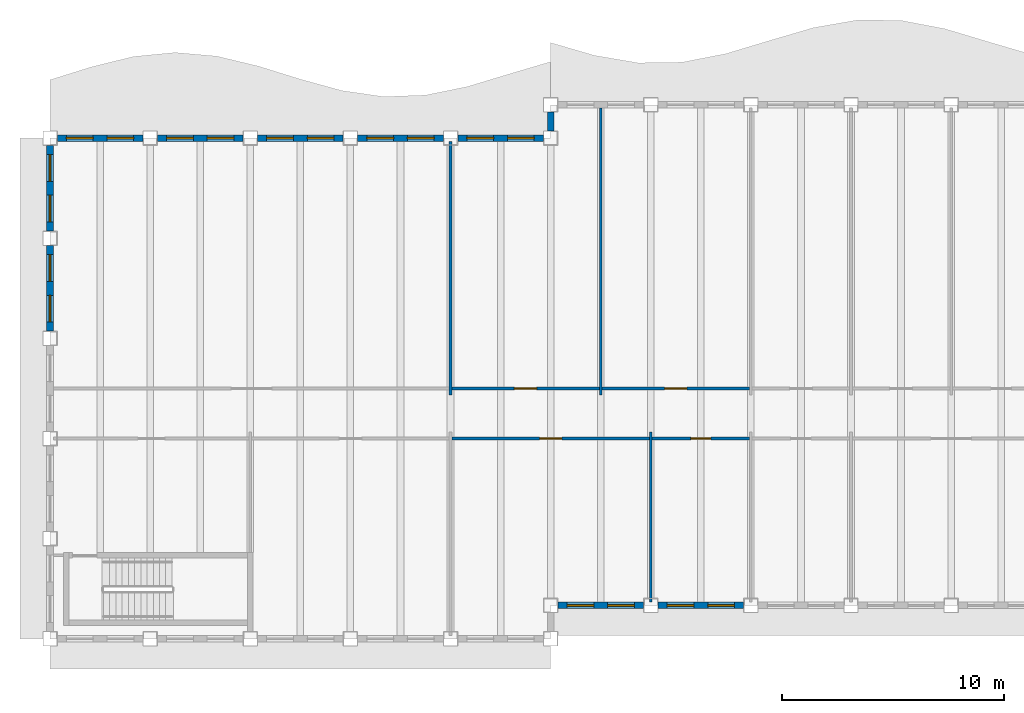
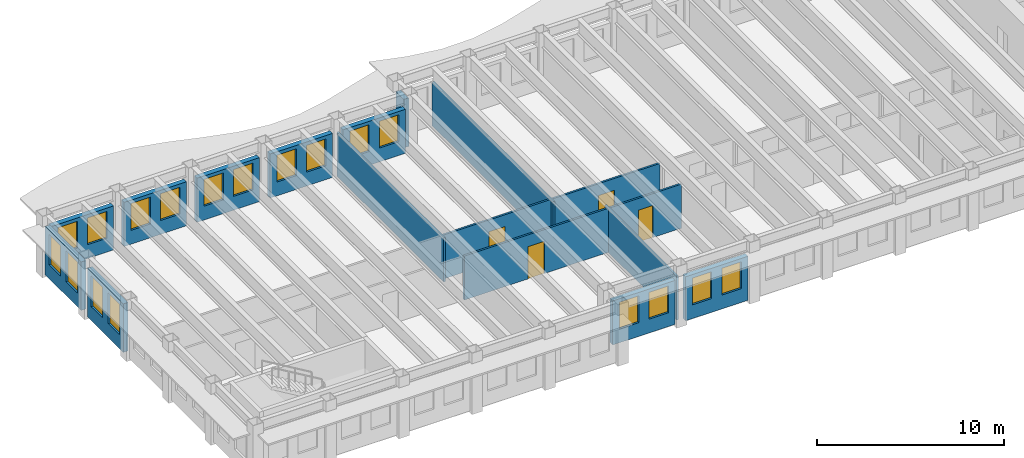
# One storey, part 3 of 12: 18 windows, 17 walls, 4 doors, 22 openings.
"""IFC4 building model written with IfcOpenShell, lengths in metres."""

from ifc_helpers import new_model, si_unit, direction, frame, frame_2d, origin, place, context, subcontext, project, spatial, rectangle, extrude, material, layer, layer_set, type_object, element, fill, save


model = new_model("IFC4")

# Units and contexts
model_context = context("Model", 3, precision=1e-05, world=origin(), true_north=direction((0.0, 1.0)))
body_context = subcontext(model_context, "Body", "Model", "MODEL_VIEW")
ifc_project = project(units=[si_unit("LENGTHUNIT", "METRE"), si_unit("AREAUNIT", "SQUARE_METRE"), si_unit("VOLUMEUNIT", "CUBIC_METRE"), si_unit("PLANEANGLEUNIT", "RADIAN"), si_unit("MASSUNIT", "GRAM", prefix="KILO")], contexts=[model_context])

# Site, building, storey
site_placement = place(None, origin())
site = spatial("IfcSite", under=ifc_project, at=site_placement, CompositionType="ELEMENT")
building_placement = place(site_placement, origin())
building = spatial("IfcBuilding", under=site, at=building_placement, Name="Sennacour Bend Tower", CompositionType="ELEMENT")
storey_placement = place(building_placement, frame((0.0, 0.0, 249.0)))
storey = spatial("IfcBuildingStorey", under=building, at=storey_placement, Name="L57", CompositionType="ELEMENT", Elevation=249.0)

# Walls
ifc_material_1 = material(Name="Plasterboard partition on steel studs", Category="steel")
ifc_layer_1 = layer(ifc_material_1, 0.1201171875, Name="Plasterboard partition on steel studs", Category="steel")
ifc_layer_set_1 = layer_set([ifc_layer_1], Name="Plasterboard partition on steel studs")
wall_type_1 = type_object("IfcWallType", Name="Partition 120", PredefinedType="PARTITIONING", material=ifc_layer_set_1)
wall_1_placement = place(storey_placement, frame((18.0, 10.949951171875, 0.0), z_axis=(0.0, 0.0, 1.0), x_axis=(0.0, 1.0, 0.0)))
element("IfcWall", 1, at=wall_1_placement, inside=storey, type_object=wall_type_1, Name="P-L57-W007a", PredefinedType="PARTITIONING", context=body_context, shape_type="SweptSolid", body=[
    extrude(rectangle(XDim=11.400146484375, YDim=0.1201171875, at=frame_2d((5.7001953125, 0.0))), origin(), (0.0, 0.0, 1.0), 2.8701171875),
])
wall_2_placement = place(storey_placement, frame((24.75, 10.949951171875, 0.0), z_axis=(0.0, 0.0, 1.0), x_axis=(0.0, 1.0, 0.0)))
element("IfcWall", 2, at=wall_2_placement, inside=storey, type_object=wall_type_1, Name="P-L57-W008a", PredefinedType="PARTITIONING", context=body_context, shape_type="SweptSolid", body=[
    extrude(rectangle(XDim=12.900146484375, YDim=0.1201171875, at=frame_2d((6.4501953125, 0.0))), origin(), (0.0, 0.0, 1.0), 2.8701171875),
])
wall_3_placement = place(storey_placement, frame((27.0, 1.64990234375, 0.0), z_axis=(0.0, 0.0, 1.0), x_axis=(0.0, 1.0, 0.0)))
element("IfcWall", 3, at=wall_3_placement, inside=storey, type_object=wall_type_1, Name="P-L57-W009a", PredefinedType="PARTITIONING", context=body_context, shape_type="SweptSolid", body=[
    extrude(rectangle(XDim=7.650146484375, YDim=0.1201171875, at=frame_2d((3.8251953125, 0.0))), origin(), (0.0, 0.0, 1.0), 2.8701171875),
])

# Wall, opening, door
wall_4_placement = place(storey_placement, frame((18.06005859375, 9.0, 0.0), z_axis=(0.0, 0.0, 1.0), x_axis=(1.0, 0.0, 0.0)))
wall_4 = element("IfcWall", 4, at=wall_4_placement, inside=storey, type_object=wall_type_1, Name="P-L57-W043ac", PredefinedType="PARTITIONING", context=body_context, shape_type="SweptSolid", body=[
    extrude(rectangle(XDim=8.8798828125, YDim=0.1201171875, at=frame_2d((4.43994140625, 0.0))), origin(), (0.0, 0.0, 1.0), 2.8701171875),
])
opening_1_placement = place(wall_4_placement, frame((3.93994140625, 0.0, 0.0)))
opening_1 = element("IfcOpeningElement", 5, at=opening_1_placement, cuts=wall_4, Name="Opening OD2", PredefinedType="OPENING", context=body_context, shape_type="SweptSolid", body=[
    extrude(rectangle(XDim=1.0, YDim=2.10009765625, at=frame_2d((0.5, 1.050048828125))), frame((0.0, 0.070068359375, 0.0), z_axis=(0.0, -1.0, 0.0), x_axis=(1.0, 0.0, 0.0)), (0.0, 0.0, 1.0), 0.14013671875),
])
ifc_material_2 = material(Name="Timber", Category="wood")
door_type_1 = type_object("IfcDoorType", Name="DR-OFFICE-1000", OperationType="NOTDEFINED", PredefinedType="DOOR", material=ifc_material_2)
door_1_placement = place(opening_1_placement, origin())
door_1 = element("IfcDoor", 6, at=door_1_placement, inside=storey, type_object=door_type_1, Name="Door", OperationType="SINGLE_SWING_LEFT", OverallHeight=2.10009765625, OverallWidth=1.0, PredefinedType="DOOR", context=body_context, shape_type="SweptSolid", body=[
    extrude(rectangle(XDim=1.0, YDim=2.10009765625, at=frame_2d((0.5, 1.050048828125))), frame((0.0, 0.02490234375, 0.0), z_axis=(0.0, -1.0, 0.0), x_axis=(1.0, 0.0, 0.0)), (0.0, 0.0, 1.0), 0.050048828125),
])
fill(opening_1, door_1)

wall_5_placement = place(storey_placement, frame((18.06005859375, 11.25, 0.0), z_axis=(0.0, 0.0, 1.0), x_axis=(1.0, 0.0, 0.0)))
wall_5 = element("IfcWall", 7, at=wall_5_placement, inside=storey, type_object=wall_type_1, Name="P-L57-W046ab", PredefinedType="PARTITIONING", context=body_context, shape_type="SweptSolid", body=[
    extrude(rectangle(XDim=6.6298828125, YDim=0.1201171875, at=frame_2d((3.31494140625, 0.0))), origin(), (0.0, 0.0, 1.0), 2.8701171875),
])
opening_2_placement = place(wall_5_placement, frame((2.81494140625, 0.0, 0.0)))
opening_2 = element("IfcOpeningElement", 8, at=opening_2_placement, cuts=wall_5, Name="Opening OD2", PredefinedType="OPENING", context=body_context, shape_type="SweptSolid", body=[
    extrude(rectangle(XDim=1.0, YDim=2.10009765625, at=frame_2d((0.5, 1.050048828125))), frame((0.0, 0.070068359375, 0.0), z_axis=(0.0, -1.0, 0.0), x_axis=(1.0, 0.0, 0.0)), (0.0, 0.0, 1.0), 0.14013671875),
])
door_2_placement = place(opening_2_placement, origin())
door_2 = element("IfcDoor", 9, at=door_2_placement, inside=storey, type_object=door_type_1, Name="Door", OperationType="SINGLE_SWING_LEFT", OverallHeight=2.10009765625, OverallWidth=1.0, PredefinedType="DOOR", context=body_context, shape_type="SweptSolid", body=[
    extrude(rectangle(XDim=1.0, YDim=2.10009765625, at=frame_2d((0.5, 1.050048828125))), frame((0.0, 0.02490234375, 0.0), z_axis=(0.0, -1.0, 0.0), x_axis=(1.0, 0.0, 0.0)), (0.0, 0.0, 1.0), 0.050048828125),
])
fill(opening_2, door_2)

wall_6_placement = place(storey_placement, frame((24.81005859375, 11.25, 0.0), z_axis=(0.0, 0.0, 1.0), x_axis=(1.0, 0.0, 0.0)))
wall_6 = element("IfcWall", 10, at=wall_6_placement, inside=storey, type_object=wall_type_1, Name="P-L57-W046ac", PredefinedType="PARTITIONING", context=body_context, shape_type="SweptSolid", body=[
    extrude(rectangle(XDim=6.6298828125, YDim=0.1201171875, at=frame_2d((3.31494140625, 0.0))), origin(), (0.0, 0.0, 1.0), 2.8701171875),
])
opening_3_placement = place(wall_6_placement, frame((2.81494140625, 0.0, 0.0)))
opening_3 = element("IfcOpeningElement", 11, at=opening_3_placement, cuts=wall_6, Name="Opening OD2", PredefinedType="OPENING", context=body_context, shape_type="SweptSolid", body=[
    extrude(rectangle(XDim=1.0, YDim=2.10009765625, at=frame_2d((0.5, 1.050048828125))), frame((0.0, 0.070068359375, 0.0), z_axis=(0.0, -1.0, 0.0), x_axis=(1.0, 0.0, 0.0)), (0.0, 0.0, 1.0), 0.14013671875),
])
door_3_placement = place(opening_3_placement, origin())
door_3 = element("IfcDoor", 12, at=door_3_placement, inside=storey, type_object=door_type_1, Name="Door", OperationType="SINGLE_SWING_LEFT", OverallHeight=2.10009765625, OverallWidth=1.0, PredefinedType="DOOR", context=body_context, shape_type="SweptSolid", body=[
    extrude(rectangle(XDim=1.0, YDim=2.10009765625, at=frame_2d((0.5, 1.050048828125))), frame((0.0, 0.02490234375, 0.0), z_axis=(0.0, -1.0, 0.0), x_axis=(1.0, 0.0, 0.0)), (0.0, 0.0, 1.0), 0.050048828125),
])
fill(opening_3, door_3)

ifc_layer_2 = layer(ifc_material_1, 0.1201171875, Name="Plasterboard partition on steel studs", Category="steel")
ifc_layer_set_2 = layer_set([ifc_layer_2], Name="Plasterboard partition on steel studs")
wall_type_2 = type_object("IfcWallType", Name="Partition 120 EI 60", PredefinedType="PARTITIONING", material=ifc_layer_set_2)
wall_7_placement = place(storey_placement, frame((27.06005859375, 9.0, 0.0), z_axis=(0.0, 0.0, 1.0), x_axis=(1.0, 0.0, 0.0)))
wall_7 = element("IfcWall", 13, at=wall_7_placement, inside=storey, type_object=wall_type_2, Name="P-L57-W043ad", PredefinedType="PARTITIONING", context=body_context, shape_type="SweptSolid", body=[
    extrude(rectangle(XDim=4.3798828125, YDim=0.1201171875, at=frame_2d((2.18994140625, 0.0))), origin(), (0.0, 0.0, 1.0), 2.8701171875),
])
opening_4_placement = place(wall_7_placement, frame((1.739990234375, 0.0, 0.0)))
opening_4 = element("IfcOpeningElement", 14, at=opening_4_placement, cuts=wall_7, Name="Opening SV", PredefinedType="OPENING", context=body_context, shape_type="SweptSolid", body=[
    extrude(rectangle(XDim=0.89990234375, YDim=2.10009765625, at=frame_2d((0.449951171875, 1.050048828125))), frame((0.0, 0.070068359375, 0.0), z_axis=(0.0, -1.0, 0.0), x_axis=(1.0, 0.0, 0.0)), (0.0, 0.0, 1.0), 0.14013671875),
])
ifc_material_3 = material(Name="Painted steel", Category="steel")
door_type_2 = type_object("IfcDoorType", Name="DR-SERVICE-900", OperationType="NOTDEFINED", PredefinedType="DOOR", material=ifc_material_3)
door_4_placement = place(opening_4_placement, origin())
door_4 = element("IfcDoor", 15, at=door_4_placement, inside=storey, type_object=door_type_2, Name="Door", OperationType="SINGLE_SWING_LEFT", OverallHeight=2.10009765625, OverallWidth=0.89990234375, PredefinedType="DOOR", context=body_context, shape_type="SweptSolid", body=[
    extrude(rectangle(XDim=0.89990234375, YDim=2.10009765625, at=frame_2d((0.449951171875, 1.050048828125))), frame((0.0, 0.02490234375, 0.0), z_axis=(0.0, -1.0, 0.0), x_axis=(1.0, 0.0, 0.0)), (0.0, 0.0, 1.0), 0.050048828125),
])
fill(opening_4, door_4)

# Wall, openings, windows
ifc_material_4 = material(Name="Warm limestone cladding", Category="masonry")
ifc_layer_3 = layer(ifc_material_4, 0.050048828125, Name="Warm limestone cladding", Category="masonry")
ifc_material_5 = material(Name="Precast concrete C40/50", Category="concrete")
ifc_layer_4 = layer(ifc_material_5, 0.25, Name="Precast concrete C40/50", Category="concrete")
ifc_layer_set_3 = layer_set([ifc_layer_3, ifc_layer_4], Name="Precast concrete C40/50 with limestone cladding")
wall_type_3 = type_object("IfcWallType", Name="STONE-CLAD PRECAST SPANDREL 300", PredefinedType="STANDARD", material=ifc_layer_set_3)
wall_8_placement = place(storey_placement, frame((22.824951171875, 1.5, 0.0), z_axis=(0.0, 0.0, 1.0), x_axis=(1.0, 0.0, 0.0)))
wall_8 = element("IfcWall", 16, at=wall_8_placement, inside=storey, type_object=wall_type_3, Name="Stone spandrel and pier wall L57 01.00", PredefinedType="STANDARD", context=body_context, shape_type="SweptSolid", body=[
    extrude(rectangle(XDim=3.85009765625, YDim=0.300048828125, at=frame_2d((1.925048828125, 0.0))), origin(), (0.0, 0.0, 1.0), 2.8701171875),
])
opening_5_placement = place(wall_8_placement, frame((0.41259765625, 0.0, 0.89990234375)))
opening_5 = element("IfcOpeningElement", 17, at=opening_5_placement, cuts=wall_8, Name="Opening W16", PredefinedType="OPENING", context=body_context, shape_type="SweptSolid", body=[
    extrude(rectangle(XDim=1.199951171875, YDim=1.75, at=frame_2d((0.60009765625, 0.875))), frame((0.0, 0.16015625, 0.0), z_axis=(0.0, -1.0, 0.0), x_axis=(1.0, 0.0, 0.0)), (0.0, 0.0, 1.0), 0.320068359375),
])
opening_6_placement = place(wall_8_placement, frame((2.237548828125, 0.0, 0.89990234375)))
opening_6 = element("IfcOpeningElement", 18, at=opening_6_placement, cuts=wall_8, Name="Opening W16", PredefinedType="OPENING", context=body_context, shape_type="SweptSolid", body=[
    extrude(rectangle(XDim=1.199951171875, YDim=1.75, at=frame_2d((0.60009765625, 0.875))), frame((0.0, 0.16015625, 0.0), z_axis=(0.0, -1.0, 0.0), x_axis=(1.0, 0.0, 0.0)), (0.0, 0.0, 1.0), 0.320068359375),
])
ifc_material_6 = material(Name="Clear low-emissivity glass", Category="glass")
window_type_1 = type_object("IfcWindowType", Name="WIN-RIBBON-1200x1750", PartitioningType="SINGLE_PANEL", PredefinedType="WINDOW", material=ifc_material_6)
window_1_placement = place(opening_5_placement, origin())
window_1 = element("IfcWindow", 19, at=window_1_placement, inside=storey, type_object=window_type_1, Name="Ribbon window L57 01.00.0", OverallHeight=1.75, OverallWidth=1.199951171875, PartitioningType="SINGLE_PANEL", PredefinedType="WINDOW", context=body_context, shape_type="SweptSolid", body=[
    extrude(rectangle(XDim=1.199951171875, YDim=1.75, at=frame_2d((0.60009765625, 0.875))), frame((0.0, 0.030029296875, 0.0), z_axis=(0.0, -1.0, 0.0), x_axis=(1.0, 0.0, 0.0)), (0.0, 0.0, 1.0), 0.06005859375),
])
fill(opening_5, window_1)
window_2_placement = place(opening_6_placement, origin())
window_2 = element("IfcWindow", 20, at=window_2_placement, inside=storey, type_object=window_type_1, Name="Ribbon window L57 01.00.1", OverallHeight=1.75, OverallWidth=1.199951171875, PartitioningType="SINGLE_PANEL", PredefinedType="WINDOW", context=body_context, shape_type="SweptSolid", body=[
    extrude(rectangle(XDim=1.199951171875, YDim=1.75, at=frame_2d((0.60009765625, 0.875))), frame((0.0, 0.030029296875, 0.0), z_axis=(0.0, -1.0, 0.0), x_axis=(1.0, 0.0, 0.0)), (0.0, 0.0, 1.0), 0.06005859375),
])
fill(opening_6, window_2)

wall_9_placement = place(storey_placement, frame((27.324951171875, 1.5, 0.0), z_axis=(0.0, 0.0, 1.0), x_axis=(1.0, 0.0, 0.0)))
wall_9 = element("IfcWall", 21, at=wall_9_placement, inside=storey, type_object=wall_type_3, Name="Stone spandrel and pier wall L57 01.01", PredefinedType="STANDARD", context=body_context, shape_type="SweptSolid", body=[
    extrude(rectangle(XDim=3.85009765625, YDim=0.300048828125, at=frame_2d((1.925048828125, 0.0))), origin(), (0.0, 0.0, 1.0), 2.8701171875),
])
opening_7_placement = place(wall_9_placement, frame((0.41259765625, 0.0, 0.89990234375)))
opening_7 = element("IfcOpeningElement", 22, at=opening_7_placement, cuts=wall_9, Name="Opening W16", PredefinedType="OPENING", context=body_context, shape_type="SweptSolid", body=[
    extrude(rectangle(XDim=1.199951171875, YDim=1.75, at=frame_2d((0.60009765625, 0.875))), frame((0.0, 0.16015625, 0.0), z_axis=(0.0, -1.0, 0.0), x_axis=(1.0, 0.0, 0.0)), (0.0, 0.0, 1.0), 0.320068359375),
])
opening_8_placement = place(wall_9_placement, frame((2.237548828125, 0.0, 0.89990234375)))
opening_8 = element("IfcOpeningElement", 23, at=opening_8_placement, cuts=wall_9, Name="Opening W16", PredefinedType="OPENING", context=body_context, shape_type="SweptSolid", body=[
    extrude(rectangle(XDim=1.199951171875, YDim=1.75, at=frame_2d((0.60009765625, 0.875))), frame((0.0, 0.16015625, 0.0), z_axis=(0.0, -1.0, 0.0), x_axis=(1.0, 0.0, 0.0)), (0.0, 0.0, 1.0), 0.320068359375),
])
window_3_placement = place(opening_7_placement, origin())
window_3 = element("IfcWindow", 24, at=window_3_placement, inside=storey, type_object=window_type_1, Name="Ribbon window L57 01.01.0", OverallHeight=1.75, OverallWidth=1.199951171875, PartitioningType="SINGLE_PANEL", PredefinedType="WINDOW", context=body_context, shape_type="SweptSolid", body=[
    extrude(rectangle(XDim=1.199951171875, YDim=1.75, at=frame_2d((0.60009765625, 0.875))), frame((0.0, 0.030029296875, 0.0), z_axis=(0.0, -1.0, 0.0), x_axis=(1.0, 0.0, 0.0)), (0.0, 0.0, 1.0), 0.06005859375),
])
fill(opening_7, window_3)
window_4_placement = place(opening_8_placement, origin())
window_4 = element("IfcWindow", 25, at=window_4_placement, inside=storey, type_object=window_type_1, Name="Ribbon window L57 01.01.1", OverallHeight=1.75, OverallWidth=1.199951171875, PartitioningType="SINGLE_PANEL", PredefinedType="WINDOW", context=body_context, shape_type="SweptSolid", body=[
    extrude(rectangle(XDim=1.199951171875, YDim=1.75, at=frame_2d((0.60009765625, 0.875))), frame((0.0, 0.030029296875, 0.0), z_axis=(0.0, -1.0, 0.0), x_axis=(1.0, 0.0, 0.0)), (0.0, 0.0, 1.0), 0.06005859375),
])
fill(opening_8, window_4)

# Wall
wall_10_placement = place(storey_placement, frame((22.5, 23.675048828125, 0.0), z_axis=(0.0, 0.0, 1.0), x_axis=(0.0, -1.0, 0.0)))
element("IfcWall", 26, at=wall_10_placement, inside=storey, type_object=wall_type_3, Name="Stone spandrel and pier wall L57 08.00", PredefinedType="STANDARD", context=body_context, shape_type="SweptSolid", body=[
    extrude(rectangle(XDim=0.85009765625, YDim=0.300048828125, at=frame_2d((0.425048828125, 0.0))), origin(), (0.0, 0.0, 1.0), 3.162109375),
])

# Wall, openings, windows
wall_11_placement = place(storey_placement, frame((22.175048828125, 22.5, 0.0), z_axis=(0.0, 0.0, 1.0), x_axis=(-1.0, 0.0, 0.0)))
wall_11 = element("IfcWall", 27, at=wall_11_placement, inside=storey, type_object=wall_type_3, Name="Stone spandrel and pier wall L57 09.00", PredefinedType="STANDARD", context=body_context, shape_type="SweptSolid", body=[
    extrude(rectangle(XDim=3.85009765625, YDim=0.300048828125, at=frame_2d((1.925048828125, 0.0))), origin(), (0.0, 0.0, 1.0), 2.8701171875),
])
opening_9_placement = place(wall_11_placement, frame((0.41259765625, 0.0, 0.89990234375)))
opening_9 = element("IfcOpeningElement", 28, at=opening_9_placement, cuts=wall_11, Name="Opening W16", PredefinedType="OPENING", context=body_context, shape_type="SweptSolid", body=[
    extrude(rectangle(XDim=1.199951171875, YDim=1.75, at=frame_2d((0.60009765625, 0.875))), frame((0.0, 0.16015625, 0.0), z_axis=(0.0, -1.0, 0.0), x_axis=(1.0, 0.0, 0.0)), (0.0, 0.0, 1.0), 0.320068359375),
])
opening_10_placement = place(wall_11_placement, frame((2.237548828125, 0.0, 0.89990234375)))
opening_10 = element("IfcOpeningElement", 29, at=opening_10_placement, cuts=wall_11, Name="Opening W16", PredefinedType="OPENING", context=body_context, shape_type="SweptSolid", body=[
    extrude(rectangle(XDim=1.199951171875, YDim=1.75, at=frame_2d((0.60009765625, 0.875))), frame((0.0, 0.16015625, 0.0), z_axis=(0.0, -1.0, 0.0), x_axis=(1.0, 0.0, 0.0)), (0.0, 0.0, 1.0), 0.320068359375),
])
window_5_placement = place(opening_9_placement, origin())
window_5 = element("IfcWindow", 30, at=window_5_placement, inside=storey, type_object=window_type_1, Name="Ribbon window L57 09.00.0", OverallHeight=1.75, OverallWidth=1.199951171875, PartitioningType="SINGLE_PANEL", PredefinedType="WINDOW", context=body_context, shape_type="SweptSolid", body=[
    extrude(rectangle(XDim=1.199951171875, YDim=1.75, at=frame_2d((0.60009765625, 0.875))), frame((0.0, 0.030029296875, 0.0), z_axis=(0.0, -1.0, 0.0), x_axis=(1.0, 0.0, 0.0)), (0.0, 0.0, 1.0), 0.06005859375),
])
fill(opening_9, window_5)
window_6_placement = place(opening_10_placement, origin())
window_6 = element("IfcWindow", 31, at=window_6_placement, inside=storey, type_object=window_type_1, Name="Ribbon window L57 09.00.1", OverallHeight=1.75, OverallWidth=1.199951171875, PartitioningType="SINGLE_PANEL", PredefinedType="WINDOW", context=body_context, shape_type="SweptSolid", body=[
    extrude(rectangle(XDim=1.199951171875, YDim=1.75, at=frame_2d((0.60009765625, 0.875))), frame((0.0, 0.030029296875, 0.0), z_axis=(0.0, -1.0, 0.0), x_axis=(1.0, 0.0, 0.0)), (0.0, 0.0, 1.0), 0.06005859375),
])
fill(opening_10, window_6)

wall_12_placement = place(storey_placement, frame((17.675048828125, 22.5, 0.0), z_axis=(0.0, 0.0, 1.0), x_axis=(-1.0, 0.0, 0.0)))
wall_12 = element("IfcWall", 32, at=wall_12_placement, inside=storey, type_object=wall_type_3, Name="Stone spandrel and pier wall L57 09.01", PredefinedType="STANDARD", context=body_context, shape_type="SweptSolid", body=[
    extrude(rectangle(XDim=3.85009765625, YDim=0.300048828125, at=frame_2d((1.925048828125, 0.0))), origin(), (0.0, 0.0, 1.0), 2.8701171875),
])
opening_11_placement = place(wall_12_placement, frame((0.41259765625, 0.0, 0.89990234375)))
opening_11 = element("IfcOpeningElement", 33, at=opening_11_placement, cuts=wall_12, Name="Opening W16", PredefinedType="OPENING", context=body_context, shape_type="SweptSolid", body=[
    extrude(rectangle(XDim=1.199951171875, YDim=1.75, at=frame_2d((0.60009765625, 0.875))), frame((0.0, 0.16015625, 0.0), z_axis=(0.0, -1.0, 0.0), x_axis=(1.0, 0.0, 0.0)), (0.0, 0.0, 1.0), 0.320068359375),
])
opening_12_placement = place(wall_12_placement, frame((2.237548828125, 0.0, 0.89990234375)))
opening_12 = element("IfcOpeningElement", 34, at=opening_12_placement, cuts=wall_12, Name="Opening W16", PredefinedType="OPENING", context=body_context, shape_type="SweptSolid", body=[
    extrude(rectangle(XDim=1.199951171875, YDim=1.75, at=frame_2d((0.60009765625, 0.875))), frame((0.0, 0.16015625, 0.0), z_axis=(0.0, -1.0, 0.0), x_axis=(1.0, 0.0, 0.0)), (0.0, 0.0, 1.0), 0.320068359375),
])
window_7_placement = place(opening_11_placement, origin())
window_7 = element("IfcWindow", 35, at=window_7_placement, inside=storey, type_object=window_type_1, Name="Ribbon window L57 09.01.0", OverallHeight=1.75, OverallWidth=1.199951171875, PartitioningType="SINGLE_PANEL", PredefinedType="WINDOW", context=body_context, shape_type="SweptSolid", body=[
    extrude(rectangle(XDim=1.199951171875, YDim=1.75, at=frame_2d((0.60009765625, 0.875))), frame((0.0, 0.030029296875, 0.0), z_axis=(0.0, -1.0, 0.0), x_axis=(1.0, 0.0, 0.0)), (0.0, 0.0, 1.0), 0.06005859375),
])
fill(opening_11, window_7)
window_8_placement = place(opening_12_placement, origin())
window_8 = element("IfcWindow", 36, at=window_8_placement, inside=storey, type_object=window_type_1, Name="Ribbon window L57 09.01.1", OverallHeight=1.75, OverallWidth=1.199951171875, PartitioningType="SINGLE_PANEL", PredefinedType="WINDOW", context=body_context, shape_type="SweptSolid", body=[
    extrude(rectangle(XDim=1.199951171875, YDim=1.75, at=frame_2d((0.60009765625, 0.875))), frame((0.0, 0.030029296875, 0.0), z_axis=(0.0, -1.0, 0.0), x_axis=(1.0, 0.0, 0.0)), (0.0, 0.0, 1.0), 0.06005859375),
])
fill(opening_12, window_8)

wall_13_placement = place(storey_placement, frame((13.175048828125, 22.5, 0.0), z_axis=(0.0, 0.0, 1.0), x_axis=(-1.0, 0.0, 0.0)))
wall_13 = element("IfcWall", 37, at=wall_13_placement, inside=storey, type_object=wall_type_3, Name="Stone spandrel and pier wall L57 09.02", PredefinedType="STANDARD", context=body_context, shape_type="SweptSolid", body=[
    extrude(rectangle(XDim=3.85009765625, YDim=0.300048828125, at=frame_2d((1.925048828125, 0.0))), origin(), (0.0, 0.0, 1.0), 2.8701171875),
])
opening_13_placement = place(wall_13_placement, frame((0.41259765625, 0.0, 0.89990234375)))
opening_13 = element("IfcOpeningElement", 38, at=opening_13_placement, cuts=wall_13, Name="Opening W16", PredefinedType="OPENING", context=body_context, shape_type="SweptSolid", body=[
    extrude(rectangle(XDim=1.199951171875, YDim=1.75, at=frame_2d((0.60009765625, 0.875))), frame((0.0, 0.16015625, 0.0), z_axis=(0.0, -1.0, 0.0), x_axis=(1.0, 0.0, 0.0)), (0.0, 0.0, 1.0), 0.320068359375),
])
opening_14_placement = place(wall_13_placement, frame((2.237548828125, 0.0, 0.89990234375)))
opening_14 = element("IfcOpeningElement", 39, at=opening_14_placement, cuts=wall_13, Name="Opening W16", PredefinedType="OPENING", context=body_context, shape_type="SweptSolid", body=[
    extrude(rectangle(XDim=1.199951171875, YDim=1.75, at=frame_2d((0.60009765625, 0.875))), frame((0.0, 0.16015625, 0.0), z_axis=(0.0, -1.0, 0.0), x_axis=(1.0, 0.0, 0.0)), (0.0, 0.0, 1.0), 0.320068359375),
])
window_9_placement = place(opening_13_placement, origin())
window_9 = element("IfcWindow", 40, at=window_9_placement, inside=storey, type_object=window_type_1, Name="Ribbon window L57 09.02.0", OverallHeight=1.75, OverallWidth=1.199951171875, PartitioningType="SINGLE_PANEL", PredefinedType="WINDOW", context=body_context, shape_type="SweptSolid", body=[
    extrude(rectangle(XDim=1.199951171875, YDim=1.75, at=frame_2d((0.60009765625, 0.875))), frame((0.0, 0.030029296875, 0.0), z_axis=(0.0, -1.0, 0.0), x_axis=(1.0, 0.0, 0.0)), (0.0, 0.0, 1.0), 0.06005859375),
])
fill(opening_13, window_9)
window_10_placement = place(opening_14_placement, origin())
window_10 = element("IfcWindow", 41, at=window_10_placement, inside=storey, type_object=window_type_1, Name="Ribbon window L57 09.02.1", OverallHeight=1.75, OverallWidth=1.199951171875, PartitioningType="SINGLE_PANEL", PredefinedType="WINDOW", context=body_context, shape_type="SweptSolid", body=[
    extrude(rectangle(XDim=1.199951171875, YDim=1.75, at=frame_2d((0.60009765625, 0.875))), frame((0.0, 0.030029296875, 0.0), z_axis=(0.0, -1.0, 0.0), x_axis=(1.0, 0.0, 0.0)), (0.0, 0.0, 1.0), 0.06005859375),
])
fill(opening_14, window_10)

wall_14_placement = place(storey_placement, frame((8.675048828125, 22.5, 0.0), z_axis=(0.0, 0.0, 1.0), x_axis=(-1.0, 0.0, 0.0)))
wall_14 = element("IfcWall", 42, at=wall_14_placement, inside=storey, type_object=wall_type_3, Name="Stone spandrel and pier wall L57 09.03", PredefinedType="STANDARD", context=body_context, shape_type="SweptSolid", body=[
    extrude(rectangle(XDim=3.85009765625, YDim=0.300048828125, at=frame_2d((1.925048828125, 0.0))), origin(), (0.0, 0.0, 1.0), 2.8701171875),
])
opening_15_placement = place(wall_14_placement, frame((0.41259765625, 0.0, 0.89990234375)))
opening_15 = element("IfcOpeningElement", 43, at=opening_15_placement, cuts=wall_14, Name="Opening W16", PredefinedType="OPENING", context=body_context, shape_type="SweptSolid", body=[
    extrude(rectangle(XDim=1.199951171875, YDim=1.75, at=frame_2d((0.60009765625, 0.875))), frame((0.0, 0.16015625, 0.0), z_axis=(0.0, -1.0, 0.0), x_axis=(1.0, 0.0, 0.0)), (0.0, 0.0, 1.0), 0.320068359375),
])
opening_16_placement = place(wall_14_placement, frame((2.237548828125, 0.0, 0.89990234375)))
opening_16 = element("IfcOpeningElement", 44, at=opening_16_placement, cuts=wall_14, Name="Opening W16", PredefinedType="OPENING", context=body_context, shape_type="SweptSolid", body=[
    extrude(rectangle(XDim=1.199951171875, YDim=1.75, at=frame_2d((0.60009765625, 0.875))), frame((0.0, 0.16015625, 0.0), z_axis=(0.0, -1.0, 0.0), x_axis=(1.0, 0.0, 0.0)), (0.0, 0.0, 1.0), 0.320068359375),
])
window_11_placement = place(opening_15_placement, origin())
window_11 = element("IfcWindow", 45, at=window_11_placement, inside=storey, type_object=window_type_1, Name="Ribbon window L57 09.03.0", OverallHeight=1.75, OverallWidth=1.199951171875, PartitioningType="SINGLE_PANEL", PredefinedType="WINDOW", context=body_context, shape_type="SweptSolid", body=[
    extrude(rectangle(XDim=1.199951171875, YDim=1.75, at=frame_2d((0.60009765625, 0.875))), frame((0.0, 0.030029296875, 0.0), z_axis=(0.0, -1.0, 0.0), x_axis=(1.0, 0.0, 0.0)), (0.0, 0.0, 1.0), 0.06005859375),
])
fill(opening_15, window_11)
window_12_placement = place(opening_16_placement, origin())
window_12 = element("IfcWindow", 46, at=window_12_placement, inside=storey, type_object=window_type_1, Name="Ribbon window L57 09.03.1", OverallHeight=1.75, OverallWidth=1.199951171875, PartitioningType="SINGLE_PANEL", PredefinedType="WINDOW", context=body_context, shape_type="SweptSolid", body=[
    extrude(rectangle(XDim=1.199951171875, YDim=1.75, at=frame_2d((0.60009765625, 0.875))), frame((0.0, 0.030029296875, 0.0), z_axis=(0.0, -1.0, 0.0), x_axis=(1.0, 0.0, 0.0)), (0.0, 0.0, 1.0), 0.06005859375),
])
fill(opening_16, window_12)

wall_15_placement = place(storey_placement, frame((4.175048828125, 22.5, 0.0), z_axis=(0.0, 0.0, 1.0), x_axis=(-1.0, 0.0, 0.0)))
wall_15 = element("IfcWall", 47, at=wall_15_placement, inside=storey, type_object=wall_type_3, Name="Stone spandrel and pier wall L57 09.04", PredefinedType="STANDARD", context=body_context, shape_type="SweptSolid", body=[
    extrude(rectangle(XDim=3.85009765625, YDim=0.300048828125, at=frame_2d((1.925048828125, 0.0))), origin(), (0.0, 0.0, 1.0), 2.8701171875),
])
opening_17_placement = place(wall_15_placement, frame((0.41259765625, 0.0, 0.89990234375)))
opening_17 = element("IfcOpeningElement", 48, at=opening_17_placement, cuts=wall_15, Name="Opening W16", PredefinedType="OPENING", context=body_context, shape_type="SweptSolid", body=[
    extrude(rectangle(XDim=1.199951171875, YDim=1.75, at=frame_2d((0.60009765625, 0.875))), frame((0.0, 0.16015625, 0.0), z_axis=(0.0, -1.0, 0.0), x_axis=(1.0, 0.0, 0.0)), (0.0, 0.0, 1.0), 0.320068359375),
])
opening_18_placement = place(wall_15_placement, frame((2.237548828125, 0.0, 0.89990234375)))
opening_18 = element("IfcOpeningElement", 49, at=opening_18_placement, cuts=wall_15, Name="Opening W16", PredefinedType="OPENING", context=body_context, shape_type="SweptSolid", body=[
    extrude(rectangle(XDim=1.199951171875, YDim=1.75, at=frame_2d((0.60009765625, 0.875))), frame((0.0, 0.16015625, 0.0), z_axis=(0.0, -1.0, 0.0), x_axis=(1.0, 0.0, 0.0)), (0.0, 0.0, 1.0), 0.320068359375),
])
window_13_placement = place(opening_17_placement, origin())
window_13 = element("IfcWindow", 50, at=window_13_placement, inside=storey, type_object=window_type_1, Name="Ribbon window L57 09.04.0", OverallHeight=1.75, OverallWidth=1.199951171875, PartitioningType="SINGLE_PANEL", PredefinedType="WINDOW", context=body_context, shape_type="SweptSolid", body=[
    extrude(rectangle(XDim=1.199951171875, YDim=1.75, at=frame_2d((0.60009765625, 0.875))), frame((0.0, 0.030029296875, 0.0), z_axis=(0.0, -1.0, 0.0), x_axis=(1.0, 0.0, 0.0)), (0.0, 0.0, 1.0), 0.06005859375),
])
fill(opening_17, window_13)
window_14_placement = place(opening_18_placement, origin())
window_14 = element("IfcWindow", 51, at=window_14_placement, inside=storey, type_object=window_type_1, Name="Ribbon window L57 09.04.1", OverallHeight=1.75, OverallWidth=1.199951171875, PartitioningType="SINGLE_PANEL", PredefinedType="WINDOW", context=body_context, shape_type="SweptSolid", body=[
    extrude(rectangle(XDim=1.199951171875, YDim=1.75, at=frame_2d((0.60009765625, 0.875))), frame((0.0, 0.030029296875, 0.0), z_axis=(0.0, -1.0, 0.0), x_axis=(1.0, 0.0, 0.0)), (0.0, 0.0, 1.0), 0.06005859375),
])
fill(opening_18, window_14)

wall_16_placement = place(storey_placement, frame((0.0, 22.175048828125, 0.0), z_axis=(0.0, 0.0, 1.0), x_axis=(0.0, -1.0, 0.0)))
wall_16 = element("IfcWall", 52, at=wall_16_placement, inside=storey, type_object=wall_type_3, Name="Stone spandrel and pier wall L57 10.00", PredefinedType="STANDARD", context=body_context, shape_type="SweptSolid", body=[
    extrude(rectangle(XDim=3.85009765625, YDim=0.300048828125, at=frame_2d((1.925048828125, 0.0))), origin(), (0.0, 0.0, 1.0), 3.162109375),
])
opening_19_placement = place(wall_16_placement, frame((0.41259765625, 0.0, 0.89990234375)))
opening_19 = element("IfcOpeningElement", 53, at=opening_19_placement, cuts=wall_16, Name="Opening W14", PredefinedType="OPENING", context=body_context, shape_type="SweptSolid", body=[
    extrude(rectangle(XDim=1.199951171875, YDim=2.0, at=frame_2d((0.60009765625, 1.0))), frame((0.0, 0.16015625, 0.0), z_axis=(0.0, -1.0, 0.0), x_axis=(1.0, 0.0, 0.0)), (0.0, 0.0, 1.0), 0.320068359375),
])
opening_20_placement = place(wall_16_placement, frame((2.237548828125, 0.0, 0.89990234375)))
opening_20 = element("IfcOpeningElement", 54, at=opening_20_placement, cuts=wall_16, Name="Opening W14", PredefinedType="OPENING", context=body_context, shape_type="SweptSolid", body=[
    extrude(rectangle(XDim=1.199951171875, YDim=2.0, at=frame_2d((0.60009765625, 1.0))), frame((0.0, 0.16015625, 0.0), z_axis=(0.0, -1.0, 0.0), x_axis=(1.0, 0.0, 0.0)), (0.0, 0.0, 1.0), 0.320068359375),
])
window_type_2 = type_object("IfcWindowType", Name="WIN-RIBBON-1200x2000", PartitioningType="SINGLE_PANEL", PredefinedType="WINDOW", material=ifc_material_6)
window_15_placement = place(opening_19_placement, origin())
window_15 = element("IfcWindow", 55, at=window_15_placement, inside=storey, type_object=window_type_2, Name="Ribbon window L57 10.00.0", OverallHeight=2.0, OverallWidth=1.199951171875, PartitioningType="SINGLE_PANEL", PredefinedType="WINDOW", context=body_context, shape_type="SweptSolid", body=[
    extrude(rectangle(XDim=1.199951171875, YDim=2.0, at=frame_2d((0.60009765625, 1.0))), frame((0.0, 0.030029296875, 0.0), z_axis=(0.0, -1.0, 0.0), x_axis=(1.0, 0.0, 0.0)), (0.0, 0.0, 1.0), 0.06005859375),
])
fill(opening_19, window_15)
window_16_placement = place(opening_20_placement, origin())
window_16 = element("IfcWindow", 56, at=window_16_placement, inside=storey, type_object=window_type_2, Name="Ribbon window L57 10.00.1", OverallHeight=2.0, OverallWidth=1.199951171875, PartitioningType="SINGLE_PANEL", PredefinedType="WINDOW", context=body_context, shape_type="SweptSolid", body=[
    extrude(rectangle(XDim=1.199951171875, YDim=2.0, at=frame_2d((0.60009765625, 1.0))), frame((0.0, 0.030029296875, 0.0), z_axis=(0.0, -1.0, 0.0), x_axis=(1.0, 0.0, 0.0)), (0.0, 0.0, 1.0), 0.06005859375),
])
fill(opening_20, window_16)

wall_17_placement = place(storey_placement, frame((0.0, 17.675048828125, 0.0), z_axis=(0.0, 0.0, 1.0), x_axis=(0.0, -1.0, 0.0)))
wall_17 = element("IfcWall", 57, at=wall_17_placement, inside=storey, type_object=wall_type_3, Name="Stone spandrel and pier wall L57 10.01", PredefinedType="STANDARD", context=body_context, shape_type="SweptSolid", body=[
    extrude(rectangle(XDim=3.85009765625, YDim=0.300048828125, at=frame_2d((1.925048828125, 0.0))), origin(), (0.0, 0.0, 1.0), 3.162109375),
])
opening_21_placement = place(wall_17_placement, frame((0.41259765625, 0.0, 0.89990234375)))
opening_21 = element("IfcOpeningElement", 58, at=opening_21_placement, cuts=wall_17, Name="Opening W14", PredefinedType="OPENING", context=body_context, shape_type="SweptSolid", body=[
    extrude(rectangle(XDim=1.199951171875, YDim=2.0, at=frame_2d((0.60009765625, 1.0))), frame((0.0, 0.16015625, 0.0), z_axis=(0.0, -1.0, 0.0), x_axis=(1.0, 0.0, 0.0)), (0.0, 0.0, 1.0), 0.320068359375),
])
opening_22_placement = place(wall_17_placement, frame((2.237548828125, 0.0, 0.89990234375)))
opening_22 = element("IfcOpeningElement", 59, at=opening_22_placement, cuts=wall_17, Name="Opening W14", PredefinedType="OPENING", context=body_context, shape_type="SweptSolid", body=[
    extrude(rectangle(XDim=1.199951171875, YDim=2.0, at=frame_2d((0.60009765625, 1.0))), frame((0.0, 0.16015625, 0.0), z_axis=(0.0, -1.0, 0.0), x_axis=(1.0, 0.0, 0.0)), (0.0, 0.0, 1.0), 0.320068359375),
])
window_17_placement = place(opening_21_placement, origin())
window_17 = element("IfcWindow", 60, at=window_17_placement, inside=storey, type_object=window_type_2, Name="Ribbon window L57 10.01.0", OverallHeight=2.0, OverallWidth=1.199951171875, PartitioningType="SINGLE_PANEL", PredefinedType="WINDOW", context=body_context, shape_type="SweptSolid", body=[
    extrude(rectangle(XDim=1.199951171875, YDim=2.0, at=frame_2d((0.60009765625, 1.0))), frame((0.0, 0.030029296875, 0.0), z_axis=(0.0, -1.0, 0.0), x_axis=(1.0, 0.0, 0.0)), (0.0, 0.0, 1.0), 0.06005859375),
])
fill(opening_21, window_17)
window_18_placement = place(opening_22_placement, origin())
window_18 = element("IfcWindow", 61, at=window_18_placement, inside=storey, type_object=window_type_2, Name="Ribbon window L57 10.01.1", OverallHeight=2.0, OverallWidth=1.199951171875, PartitioningType="SINGLE_PANEL", PredefinedType="WINDOW", context=body_context, shape_type="SweptSolid", body=[
    extrude(rectangle(XDim=1.199951171875, YDim=2.0, at=frame_2d((0.60009765625, 1.0))), frame((0.0, 0.030029296875, 0.0), z_axis=(0.0, -1.0, 0.0), x_axis=(1.0, 0.0, 0.0)), (0.0, 0.0, 1.0), 0.06005859375),
])
fill(opening_22, window_18)

save(model, "model.ifc")
